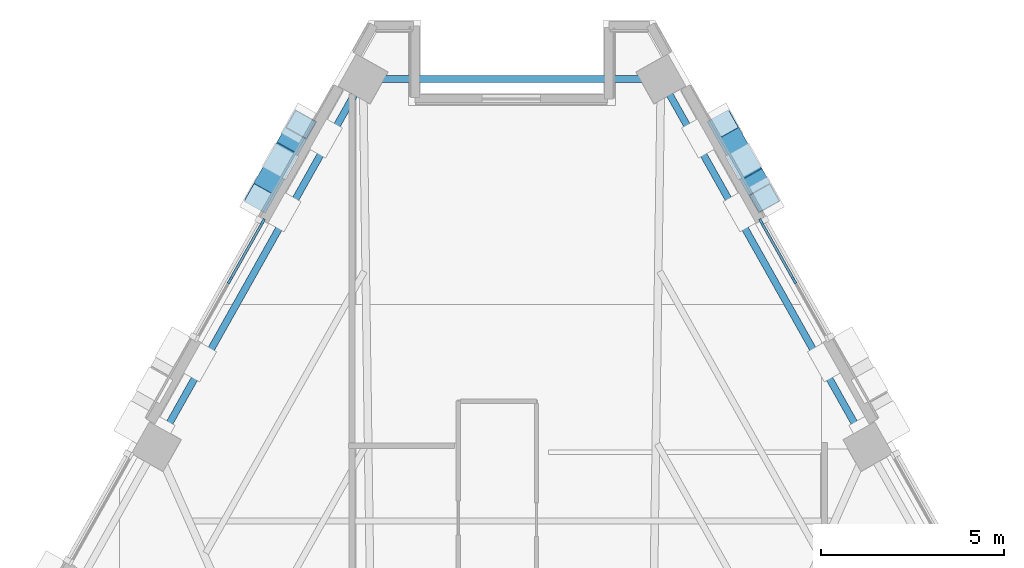
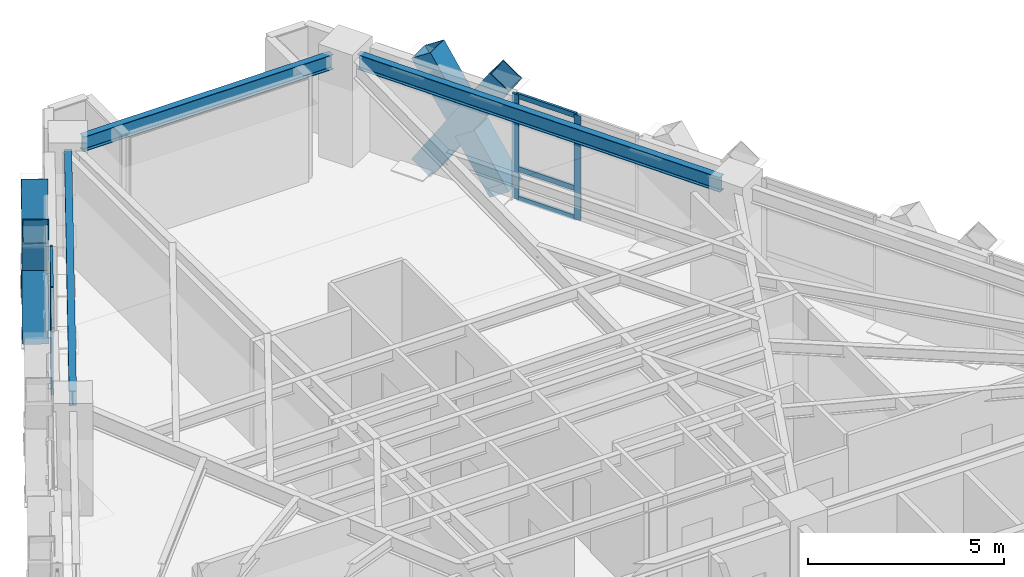
# One storey, part 5 of 14: 16 members, 3 beams, 2 elements without a shape of their own.
"""IFC4 building model written with IfcOpenShell, lengths in metres."""

import ifcopenshell
import ifcopenshell.guid

model = None  # the IFC model being written
_history = None  # IfcOwnerHistory: only IFC2X3 demands one
_inside = {}  # id of a spatial element -> (the spatial element, [elements in it])
_under = {}  # id of a project, library or spatial element -> (it, [spatial elements below it])
_declared = {}  # id of a project -> (the project, [libraries it declares])
_typed = {}  # id of a type object -> (the type object, [elements of that type])
_made_of = {}  # id of a material, layer set ... -> (it, [elements and type objects made of it])


def new_model(schema):
    """Start an empty IFC model of exactly this schema.

    Asked for "IFC4X3", IfcOpenShell would pick the latest addendum, in which some entities
    have other attributes; the version numbers below select the first issue.
    IFC2X3 requires an IfcOwnerHistory on every rooted entity: one is made here for all.
    """
    global model, _history
    if schema == "IFC4X3":
        model = ifcopenshell.file(schema_version=(4, 3, 0, 0))
    else:
        model = ifcopenshell.file(schema=schema)
    _inside.clear()
    _under.clear()
    _declared.clear()
    _typed.clear()
    _made_of.clear()
    _history = None
    if model.schema == "IFC2X3":
        org = make("IfcOrganization", Name="unknown")
        user = make(
            "IfcPersonAndOrganization",
            ThePerson=make("IfcPerson", FamilyName="unknown"),
            TheOrganization=org,
        )
        app = make(
            "IfcApplication",
            ApplicationDeveloper=org,
            Version="unknown",
            ApplicationFullName="unknown",
            ApplicationIdentifier="unknown",
        )
        _history = make(
            "IfcOwnerHistory",
            OwningUser=user,
            OwningApplication=app,
            ChangeAction="ADDED",
            CreationDate=0,
        )
    return model


def make(cls, **values):
    """One entity of the class cls with the attributes given. An attribute that is None is left unset."""
    return model.create_entity(
        cls, **{name: value for name, value in values.items() if value is not None}
    )


def rooted(cls, **values):
    """An entity with a GlobalId (a new one), such as an element, a storey or a relation."""
    return make(cls, GlobalId=ifcopenshell.guid.new(), OwnerHistory=_history, **values)


def si_unit(unit_type, name, prefix=None):
    """IfcSIUnit, for example si_unit("LENGTHUNIT", "METRE", prefix="MILLI")."""
    return make("IfcSIUnit", UnitType=unit_type, Prefix=prefix, Name=name)


def assignment(units):
    """IfcUnitAssignment: the units of a project."""
    return None if units is None else make("IfcUnitAssignment", Units=units)


def point(xyz):
    """IfcCartesianPoint."""
    return None if xyz is None else make("IfcCartesianPoint", Coordinates=xyz)


def direction(xyz):
    """IfcDirection."""
    return None if xyz is None else make("IfcDirection", DirectionRatios=xyz)


def frame(location, z_axis=None, x_axis=None):
    """IfcAxis2Placement3D, a coordinate frame: its origin and axes. An axis left out is left unset."""
    return make(
        "IfcAxis2Placement3D",
        Location=point(location),
        Axis=direction(z_axis),
        RefDirection=direction(x_axis),
    )


def frame_2d(location, x_axis=None):
    """IfcAxis2Placement2D, a coordinate frame in the plane: its origin and x axis."""
    return make(
        "IfcAxis2Placement2D", Location=point(location), RefDirection=direction(x_axis)
    )


def origin():
    """The frame at (0, 0, 0) with its axes left unset."""
    return frame((0.0, 0.0, 0.0))


def origin_2d():
    """The frame at (0, 0) in the plane with its x axis left unset."""
    return frame_2d((0.0, 0.0))


def place(relative_to, where):
    """IfcLocalPlacement: puts the frame where relative to a parent placement (None: the world)."""
    return make(
        "IfcLocalPlacement", PlacementRelTo=relative_to, RelativePlacement=where
    )


def context(
    kind, dimensions, precision=None, world=None, true_north=None, identifier=None
):
    """IfcGeometricRepresentationContext, for example the 3D "Model" context."""
    return make(
        "IfcGeometricRepresentationContext",
        ContextIdentifier=identifier,
        ContextType=kind,
        CoordinateSpaceDimension=dimensions,
        Precision=precision,
        WorldCoordinateSystem=world,
        TrueNorth=true_north,
    )


def subcontext(parent, identifier, kind, view, scale=None):
    """IfcGeometricRepresentationSubContext, for example "Body" below "Model"."""
    return make(
        "IfcGeometricRepresentationSubContext",
        ContextIdentifier=identifier,
        ContextType=kind,
        ParentContext=parent,
        TargetScale=scale,
        TargetView=view,
    )


def project(units=None, contexts=None):
    """IfcProject with its units and contexts."""
    return rooted(
        "IfcProject",
        Name="project",
        RepresentationContexts=contexts,
        UnitsInContext=assignment(units),
    )


def spatial(cls, under=None, at=None, **own):
    """A site, building, storey or space (cls), placed at a placement, below another one or the project."""
    s = rooted(cls, ObjectPlacement=at, **own)
    if under is not None:
        _under.setdefault(under.id(), (under, []))[1].append(s)
    return s


def profile(cls, at=None, kind="AREA", **sizes):
    """A parametric profile (cls). Its sizes go by their IFC names, for example OverallWidth=200.0."""
    return make(cls, ProfileType=kind, Position=at, **sizes)


def rectangle(**sizes):
    """IfcRectangleProfileDef."""
    return profile("IfcRectangleProfileDef", **sizes)


def hollow_rectangle(**sizes):
    """IfcRectangleHollowProfileDef."""
    return profile("IfcRectangleHollowProfileDef", **sizes)


def i_section(**sizes):
    """IfcIShapeProfileDef."""
    return profile("IfcIShapeProfileDef", **sizes)


def extrude(swept, where, along, depth):
    """IfcExtrudedAreaSolid: the profile swept, set in the frame where, extruded along a direction by depth."""
    return make(
        "IfcExtrudedAreaSolid",
        SweptArea=swept,
        Position=where,
        ExtrudedDirection=direction(along),
        Depth=depth,
    )


def shape(context_of_items, identifier, shape_type, items):
    """IfcShapeRepresentation: the items that make up one representation, for example the "Body"."""
    return make(
        "IfcShapeRepresentation",
        ContextOfItems=context_of_items,
        RepresentationIdentifier=identifier,
        RepresentationType=shape_type,
        Items=items,
    )


def material(Name=None, Category=None):
    """IfcMaterial."""
    return make("IfcMaterial", Name=Name, Category=Category)


def material_profile(
    of_material, cross_section, Name=None, Category=None, Priority=None
):
    """IfcMaterialProfile: a cross section and its material."""
    return make(
        "IfcMaterialProfile",
        Name=Name,
        Material=of_material,
        Profile=cross_section,
        Priority=Priority,
        Category=Category,
    )


def profile_set(profiles, Name=None, composite=None):
    """IfcMaterialProfileSet."""
    return make(
        "IfcMaterialProfileSet",
        Name=Name,
        MaterialProfiles=profiles,
        CompositeProfile=composite,
    )


def made_of(thing, what):
    """Note that an element or type object is made of a material, layer set ...; save() writes the relation."""
    if what is not None:
        _made_of.setdefault(what.id(), (what, []))[1].append(thing)
    return thing


def type_object(cls, material=None, **own):
    """A type object (cls), such as IfcWallType, which elements share."""
    return made_of(rooted(cls, **own), material)


def element(
    cls,
    number,
    at=None,
    inside=None,
    cuts=None,
    type_object=None,
    material=None,
    context=None,
    identifier="Body",
    shape_type=None,
    held_by="IfcProductDefinitionShape",
    body=None,
    shapes=None,
    **own,
):
    """One element of the class cls, such as IfcWall. Its Tag is "e" and its number.

    at: its placement. inside: the storey or other place that contains it. cuts: it is an
    opening in that element (IfcRelVoidsElement). A single representation is given by context,
    identifier, shape_type and body (its items); several are given by shapes. held_by: the class
    of the entity that holds the representations. save() writes the other relations.
    """
    e = rooted(cls, Tag="e%d" % number, ObjectPlacement=at, **own)
    if body is not None:
        shapes = [shape(context, identifier, shape_type, body)]
    if shapes is not None:
        e.Representation = make(held_by, Representations=shapes)
    if inside is not None:
        _inside.setdefault(inside.id(), (inside, []))[1].append(e)
    if cuts is not None:
        rooted(
            "IfcRelVoidsElement", RelatingBuildingElement=cuts, RelatedOpeningElement=e
        )
    if type_object is not None:
        _typed.setdefault(type_object.id(), (type_object, []))[1].append(e)
    return made_of(e, material)


def aggregate(whole, parts):
    """IfcRelAggregates: a whole, such as a stair, and the parts it consists of."""
    return rooted("IfcRelAggregates", RelatingObject=whole, RelatedObjects=parts)


def save(model, path):
    """Write the relations noted so far, then the file.

    IfcRelAggregates (storeys below a building ...), IfcRelContainedInSpatialStructure (elements
    in a storey), IfcRelDefinesByType, IfcRelAssociatesMaterial and IfcRelDeclares: one each for
    every whole, place, type object, material and project.
    """
    for whole, parts in _under.values():
        aggregate(whole, parts)
    for where, things in _inside.values():
        rooted(
            "IfcRelContainedInSpatialStructure",
            RelatedElements=things,
            RelatingStructure=where,
        )
    for kind, things in _typed.values():
        rooted("IfcRelDefinesByType", RelatedObjects=things, RelatingType=kind)
    for what, things in _made_of.values():
        rooted("IfcRelAssociatesMaterial", RelatedObjects=things, RelatingMaterial=what)
    for by, libraries in _declared.values():
        rooted("IfcRelDeclares", RelatingContext=by, RelatedDefinitions=libraries)
    model.write(path)


model = new_model("IFC4")

# Units and contexts
model_context = context("Model", 3, precision=1e-05, world=origin(), true_north=direction((0.0, 1.0)))
body_context = subcontext(model_context, "Body", "Model", "MODEL_VIEW")
ifc_project = project(units=[si_unit("LENGTHUNIT", "METRE"), si_unit("AREAUNIT", "SQUARE_METRE"), si_unit("VOLUMEUNIT", "CUBIC_METRE"), si_unit("PLANEANGLEUNIT", "RADIAN"), si_unit("MASSUNIT", "GRAM", prefix="KILO")], contexts=[model_context])

# Site, building, storey
site_placement = place(None, origin())
site = spatial("IfcSite", under=ifc_project, at=site_placement, CompositionType="ELEMENT")
building_placement = place(site_placement, origin())
building = spatial("IfcBuilding", under=site, at=building_placement, Name="Quenlor Broadcast Tower", CompositionType="ELEMENT")
storey_placement = place(building_placement, frame((0.0, 0.0, 144.0)))
storey = spatial("IfcBuildingStorey", under=building, at=storey_placement, Name="L39", CompositionType="ELEMENT", Elevation=144.0)

# Curtain wall, members
ifc_material_1 = material(Name="Architectural Terracotta and Low-E Glazing", Category="masonry")
curtain_wall_type = type_object("IfcCurtainWallType", Name="Unitised Terracotta Curtain Wall System Z3", PredefinedType="NOTDEFINED", material=ifc_material_1)
curtain_wall_1_placement = place(storey_placement, origin())
curtain_wall_1 = element("IfcCurtainWall", 1, at=curtain_wall_1_placement, inside=storey, type_object=curtain_wall_type, Name="L39 Curtain Wall CW3 (L39-NEA-G1)", PredefinedType="NOTDEFINED")
ifc_material_2 = material(Name="Aluminium 6063-T6", Category="aluminium")
ifc_material_profile_1 = material_profile(ifc_material_2, rectangle(XDim=0.070068359375, YDim=0.18994140625, at=origin_2d()))
ifc_profile_set_1 = profile_set([ifc_material_profile_1], Name="Aluminium 6063-T6 MULL70x190")
member_type_1 = type_object("IfcMemberType", Name="CW3 Aluminium Mullion MULL_CW3", PredefinedType="MULLION", material=ifc_profile_set_1)
member_1_placement = place(storey_placement, frame((6.8271484375, 14.90576171875, 0.0), z_axis=(0.0, 0.0, 1.0), x_axis=(0.871570530637, 0.490270139949, 0.0)))
member_1 = element("IfcMember", 2, at=member_1_placement, type_object=member_type_1, Name="CW3 mullion 1", PredefinedType="MULLION", context=body_context, shape_type="SweptSolid", body=[
    extrude(rectangle(XDim=0.070068359375, YDim=0.18994140625, at=origin_2d()), origin(), (0.0, 0.0, 1.0), 3.25),
])
member_2_placement = place(storey_placement, frame((7.725341796875, 13.30908203125, 0.0), z_axis=(0.0, 0.0, 1.0), x_axis=(0.871570530637, 0.490270139949, 0.0)))
member_2 = element("IfcMember", 3, at=member_2_placement, type_object=member_type_1, Name="CW3 mullion 2", PredefinedType="MULLION", context=body_context, shape_type="SweptSolid", body=[
    extrude(rectangle(XDim=0.070068359375, YDim=0.18994140625, at=origin_2d()), origin(), (0.0, 0.0, 1.0), 3.25),
])

curtain_wall_2_placement = place(storey_placement, origin())
curtain_wall_2 = element("IfcCurtainWall", 4, at=curtain_wall_2_placement, inside=storey, type_object=curtain_wall_type, Name="L39 Curtain Wall CW3 (L39-NWC-G1)", PredefinedType="NOTDEFINED")
member_3_placement = place(storey_placement, frame((-7.725341796875, 13.30908203125, 0.0), z_axis=(0.0, 0.0, 1.0), x_axis=(-0.871570530637, 0.490270139949, 0.0)))
member_3 = element("IfcMember", 5, at=member_3_placement, type_object=member_type_1, Name="CW3 mullion 2", PredefinedType="MULLION", context=body_context, shape_type="SweptSolid", body=[
    extrude(rectangle(XDim=0.070068359375, YDim=0.18994140625, at=origin_2d()), origin(), (0.0, 0.0, 1.0), 3.25),
])
member_4_placement = place(storey_placement, frame((-6.8271484375, 14.90576171875, 0.0), z_axis=(0.0, 0.0, 1.0), x_axis=(-0.871570530637, 0.490270139949, 0.0)))
member_4 = element("IfcMember", 6, at=member_4_placement, type_object=member_type_1, Name="CW3 mullion 3", PredefinedType="MULLION", context=body_context, shape_type="SweptSolid", body=[
    extrude(rectangle(XDim=0.070068359375, YDim=0.18994140625, at=origin_2d()), origin(), (0.0, 0.0, 1.0), 3.25),
])

# Member
ifc_material_3 = material(Name="Aluminium 6063-T6", Category="aluminium")
ifc_material_profile_2 = material_profile(ifc_material_3, rectangle(XDim=0.070068359375, YDim=0.155029296875, at=origin_2d()))
ifc_profile_set_2 = profile_set([ifc_material_profile_2], Name="Aluminium 6063-T6 TRAN70x155")
member_type_2 = type_object("IfcMemberType", Name="CW3 Aluminium Transom TRAN_CW3", PredefinedType="USERDEFINED", material=ifc_profile_set_2)
member_5_placement = place(storey_placement, frame((6.84423828125, 14.875244140625, 0.034912109375), z_axis=(0.490353334151, -0.871523727553, 0.0), x_axis=(0.871523727553, 0.490353334151, 0.0)))
member_5 = element("IfcMember", 7, at=member_5_placement, type_object=member_type_2, Name="CW3 transom 1.1", ObjectType="TRANSOM", PredefinedType="USERDEFINED", context=body_context, shape_type="SweptSolid", body=[
    extrude(rectangle(XDim=0.070068359375, YDim=0.155029296875, at=origin_2d()), origin(), (0.0, 0.0, 1.0), 1.761962890625),
])

member_6_placement = place(storey_placement, frame((6.84423828125, 14.875244140625, 0.949951171875), z_axis=(0.490353334151, -0.871523727553, 0.0), x_axis=(0.871523727553, 0.490353334151, 0.0)))
member_6 = element("IfcMember", 8, at=member_6_placement, type_object=member_type_2, Name="CW3 transom 1.2", ObjectType="TRANSOM", PredefinedType="USERDEFINED", context=body_context, shape_type="SweptSolid", body=[
    extrude(rectangle(XDim=0.070068359375, YDim=0.155029296875, at=origin_2d()), origin(), (0.0, 0.0, 1.0), 1.761962890625),
])

member_7_placement = place(storey_placement, frame((6.84423828125, 14.875244140625, 3.215087890625), z_axis=(0.490353334151, -0.871523727553, 0.0), x_axis=(0.871523727553, 0.490353334151, 0.0)))
member_7 = element("IfcMember", 9, at=member_7_placement, type_object=member_type_2, Name="CW3 transom 1.3", ObjectType="TRANSOM", PredefinedType="USERDEFINED", context=body_context, shape_type="SweptSolid", body=[
    extrude(rectangle(XDim=0.070068359375, YDim=0.155029296875, at=origin_2d()), origin(), (0.0, 0.0, 1.0), 1.761962890625),
])

aggregate(curtain_wall_1, [member_1, member_2, member_5, member_6, member_7])

member_8_placement = place(storey_placement, frame((-7.708251953125, 13.339599609375, 0.034912109375), z_axis=(0.490353334151, 0.871523727553, 0.0), x_axis=(-0.871523727553, 0.490353334151, 0.0)))
member_8 = element("IfcMember", 10, at=member_8_placement, type_object=member_type_2, Name="CW3 transom 2.1", ObjectType="TRANSOM", PredefinedType="USERDEFINED", context=body_context, shape_type="SweptSolid", body=[
    extrude(rectangle(XDim=0.070068359375, YDim=0.155029296875, at=origin_2d()), origin(), (0.0, 0.0, 1.0), 1.761962890625),
])

member_9_placement = place(storey_placement, frame((-7.708251953125, 13.339599609375, 0.949951171875), z_axis=(0.490353334151, 0.871523727553, 0.0), x_axis=(-0.871523727553, 0.490353334151, 0.0)))
member_9 = element("IfcMember", 11, at=member_9_placement, type_object=member_type_2, Name="CW3 transom 2.2", ObjectType="TRANSOM", PredefinedType="USERDEFINED", context=body_context, shape_type="SweptSolid", body=[
    extrude(rectangle(XDim=0.070068359375, YDim=0.155029296875, at=origin_2d()), origin(), (0.0, 0.0, 1.0), 1.761962890625),
])

member_10_placement = place(storey_placement, frame((-7.708251953125, 13.339599609375, 3.215087890625), z_axis=(0.490353334151, 0.871523727553, 0.0), x_axis=(-0.871523727553, 0.490353334151, 0.0)))
member_10 = element("IfcMember", 12, at=member_10_placement, type_object=member_type_2, Name="CW3 transom 2.3", ObjectType="TRANSOM", PredefinedType="USERDEFINED", context=body_context, shape_type="SweptSolid", body=[
    extrude(rectangle(XDim=0.070068359375, YDim=0.155029296875, at=origin_2d()), origin(), (0.0, 0.0, 1.0), 1.761962890625),
])

aggregate(curtain_wall_2, [member_3, member_4, member_8, member_9, member_10])

# Members
ifc_material_4 = material(Name="Steel S355", Category="steel")
ifc_material_profile_3 = material_profile(ifc_material_4, hollow_rectangle(XDim=0.679931640625, YDim=0.679931640625, WallThickness=0.02490234375, at=origin_2d()))
ifc_profile_set_3 = profile_set([ifc_material_profile_3], Name="Steel S355 RHS680x680x25")
member_type_3 = type_object("IfcMemberType", Name="Perimeter Diagonal Lattice Brace Z3-Z4 Steel S355 RHS680x25", PredefinedType="BRACE", material=ifc_profile_set_3)
member_11_placement = place(storey_placement, frame((5.77783203125, 17.5771484375, -0.1201171875), z_axis=(0.2705491942, -0.481008661973, 0.833926735766), x_axis=(0.871589611547, 0.490236217596, 0.0)))
element("IfcMember", 13, at=member_11_placement, inside=storey, type_object=member_type_3, Name="L39 Perimeter Diamond Lattice NE-C1XA", PredefinedType="BRACE", context=body_context, shape_type="SweptSolid", body=[
    extrude(hollow_rectangle(XDim=0.679931640625, YDim=0.679931640625, WallThickness=0.02490234375, at=origin_2d()), origin(), (0.0, 0.0, 1.0), 4.197021484375),
])
for number, where, z_axis, x_axis, name in (
    (14, (6.913330078125, 15.558349609375, -0.1201171875), (-0.270616433058, 0.481007832697, 0.833905396938), (-0.871537189362, -0.490329407194, 0.0), "L39 Perimeter Diamond Lattice NE-C1XB1"),
    (15, (6.278076171875, 16.68798828125, 1.83837890625), (-0.270616433058, 0.481007832697, 0.833905396938), (-0.871537189362, -0.490329407194, 0.0), "L39 Perimeter Diamond Lattice NE-C1XB2"),
):
    element("IfcMember", number, at=place(storey_placement, frame(where, z_axis=z_axis, x_axis=x_axis)), inside=storey, type_object=member_type_3, Name=name, PredefinedType="BRACE", context=body_context, shape_type="SweptSolid", body=[
        extrude(hollow_rectangle(XDim=0.679931640625, YDim=0.679931640625, WallThickness=0.02490234375, at=origin_2d()), origin(), (0.0, 0.0, 1.0), 1.8486328125),
    ])
member_12_placement = place(storey_placement, frame((-6.913330078125, 15.558349609375, -0.1201171875), z_axis=(0.2705491942, 0.481008661973, 0.833926735766), x_axis=(-0.871589611547, 0.490236217596, 0.0)))
element("IfcMember", 16, at=member_12_placement, inside=storey, type_object=member_type_3, Name="L39 Perimeter Diamond Lattice NW-C5XA", PredefinedType="BRACE", context=body_context, shape_type="SweptSolid", body=[
    extrude(hollow_rectangle(XDim=0.679931640625, YDim=0.679931640625, WallThickness=0.02490234375, at=origin_2d()), origin(), (0.0, 0.0, 1.0), 4.197021484375),
])
for number, where, z_axis, x_axis, name in (
    (17, (-5.77783203125, 17.5771484375, -0.1201171875), (-0.270616433058, -0.481007832697, 0.833905396938), (0.871537189362, -0.490329407194, 0.0), "L39 Perimeter Diamond Lattice NW-C5XB1"),
    (18, (-6.4130859375, 16.447509765625, 1.83837890625), (-0.270616433058, -0.481007832697, 0.833905396938), (0.871537189362, -0.490329407194, 0.0), "L39 Perimeter Diamond Lattice NW-C5XB2"),
):
    element("IfcMember", number, at=place(storey_placement, frame(where, z_axis=z_axis, x_axis=x_axis)), inside=storey, type_object=member_type_3, Name=name, PredefinedType="BRACE", context=body_context, shape_type="SweptSolid", body=[
        extrude(hollow_rectangle(XDim=0.679931640625, YDim=0.679931640625, WallThickness=0.02490234375, at=origin_2d()), origin(), (0.0, 0.0, 1.0), 1.8486328125),
    ])

# Beams
ifc_material_5 = material(Name="Steel S355", Category="steel")
ifc_material_profile_4 = material_profile(ifc_material_5, i_section(OverallWidth=0.19091796875, OverallDepth=0.46044921875, WebThickness=0.010009765625, FlangeThickness=0.01611328125, FilletRadius=0.011474609375, at=origin_2d()))
ifc_profile_set_4 = profile_set([ifc_material_profile_4], Name="Steel S355 460UB82.1")
beam_type = type_object("IfcBeamType", Name="Perimeter Spandrel Beam Z3 Steel S355 460UB82.1", PredefinedType="SPANDREL", material=ifc_profile_set_4)
beam_1_placement = place(storey_placement, frame((9.5419921875, 9.110595703125, 3.019775390625), z_axis=(-0.490257999604, 0.871577359633, 0.0), x_axis=(-0.871577359633, -0.490257999604, 0.0)))
element("IfcBeam", 19, at=beam_1_placement, inside=storey, type_object=beam_type, Name="L39 Spandrel Beam NE3-NE4", PredefinedType="SPANDREL", context=body_context, shape_type="SweptSolid", body=[
    extrude(i_section(OverallWidth=0.19091796875, OverallDepth=0.46044921875, WebThickness=0.010009765625, FlangeThickness=0.01611328125, FilletRadius=0.011474609375, at=origin_2d()), origin(), (0.0, 0.0, 1.0), 10.732666015625),
])
beam_2_placement = place(storey_placement, frame((3.669189453125, 18.822021484375, 3.019775390625), z_axis=(-1.0, 0.0, 0.0), x_axis=(0.0, -1.0, 0.0)))
element("IfcBeam", 20, at=beam_2_placement, inside=storey, type_object=beam_type, Name="L39 Spandrel Beam NE4-NW1", PredefinedType="SPANDREL", context=body_context, shape_type="SweptSolid", body=[
    extrude(i_section(OverallWidth=0.19091796875, OverallDepth=0.46044921875, WebThickness=0.010009765625, FlangeThickness=0.01611328125, FilletRadius=0.011474609375, at=origin_2d()), origin(), (0.0, 0.0, 1.0), 7.33837890625),
])
beam_3_placement = place(storey_placement, frame((-4.2802734375, 18.46484375, 3.019775390625), z_axis=(-0.490257999604, -0.871577359633, 0.0), x_axis=(0.871577359633, -0.490257999604, 0.0)))
element("IfcBeam", 21, at=beam_3_placement, inside=storey, type_object=beam_type, Name="L39 Spandrel Beam NW1-NW2", PredefinedType="SPANDREL", context=body_context, shape_type="SweptSolid", body=[
    extrude(i_section(OverallWidth=0.19091796875, OverallDepth=0.46044921875, WebThickness=0.010009765625, FlangeThickness=0.01611328125, FilletRadius=0.011474609375, at=origin_2d()), origin(), (0.0, 0.0, 1.0), 10.732666015625),
])

save(model, "model.ifc")
